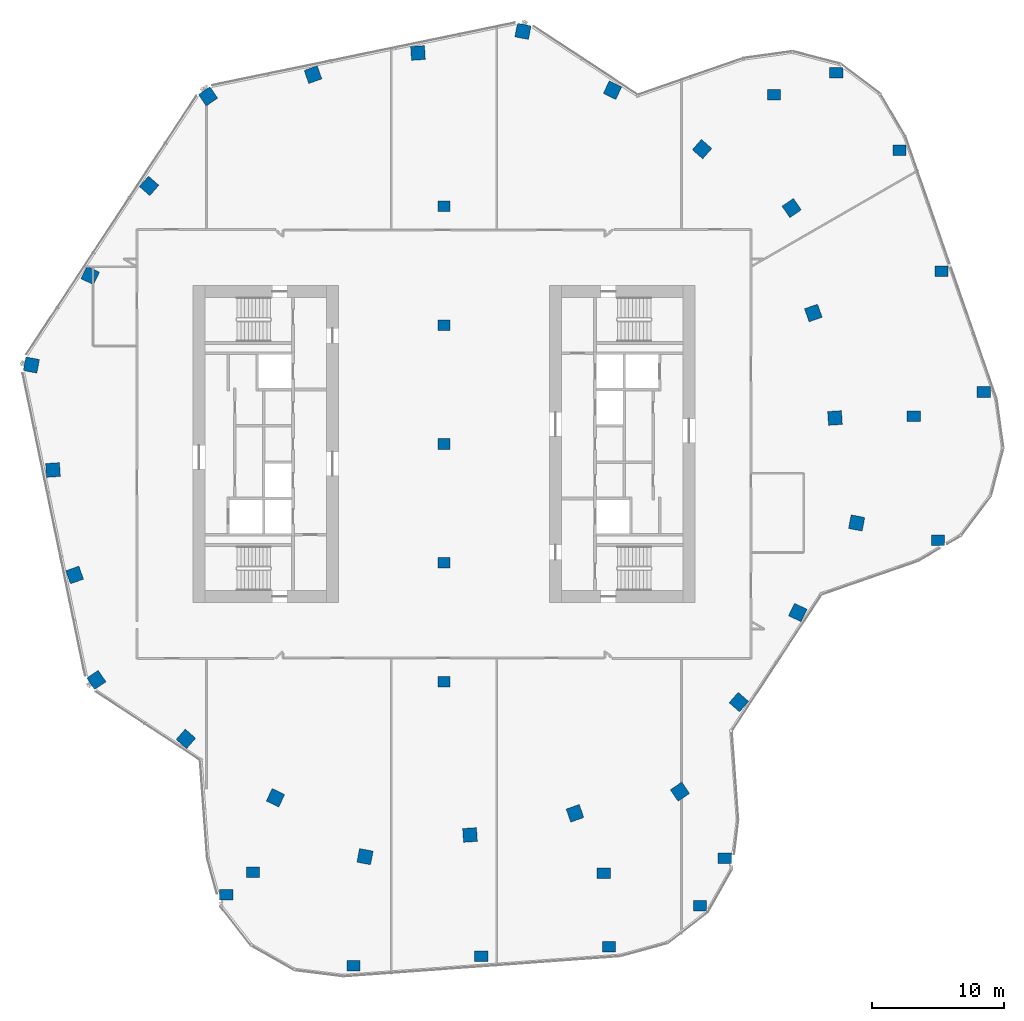
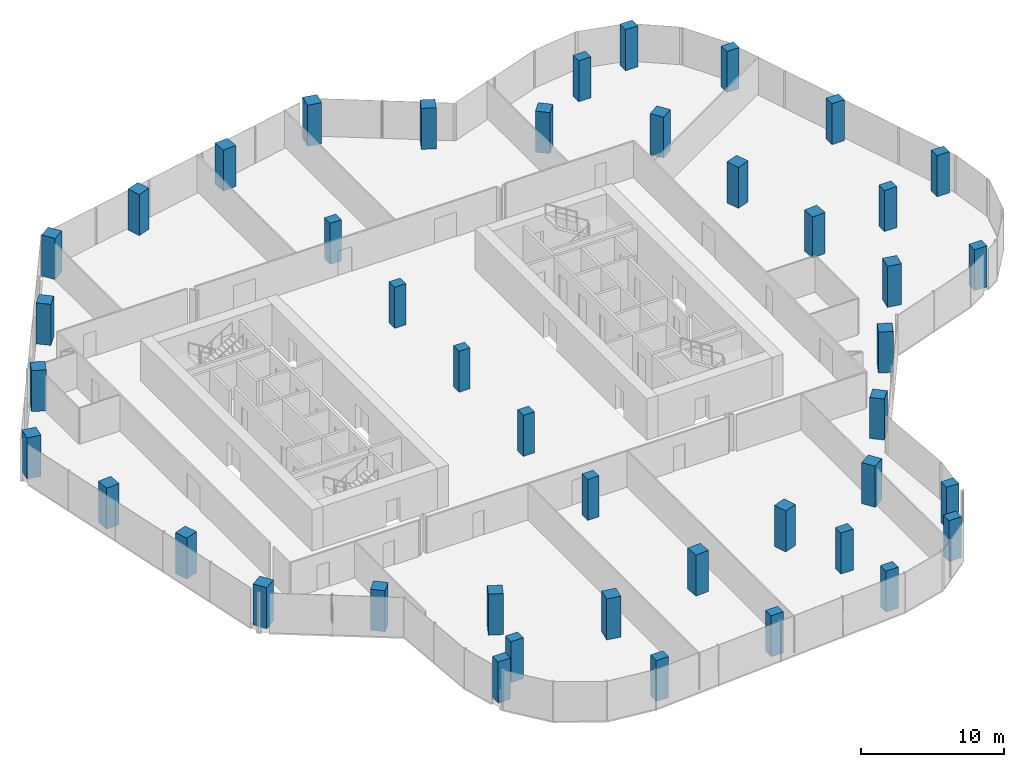
# One storey, part 1 of 24: 44 columns.
"""IFC4 building model written with IfcOpenShell, lengths in metres."""

from ifc_helpers import new_model, si_unit, direction, frame, origin, origin_2d, place, context, subcontext, project, spatial, rectangle, extrude, material, material_profile, profile_set, type_object, element, save


model = new_model("IFC4")

# Units and contexts
model_context = context("Model", 3, precision=1e-05, world=origin(), true_north=direction((0.0, 1.0)))
body_context = subcontext(model_context, "Body", "Model", "MODEL_VIEW")
ifc_project = project(units=[si_unit("LENGTHUNIT", "METRE"), si_unit("AREAUNIT", "SQUARE_METRE"), si_unit("VOLUMEUNIT", "CUBIC_METRE"), si_unit("PLANEANGLEUNIT", "RADIAN"), si_unit("MASSUNIT", "GRAM", prefix="KILO")], contexts=[model_context])

# Site, building, storey
site_placement = place(None, origin())
site = spatial("IfcSite", under=ifc_project, at=site_placement, CompositionType="ELEMENT")
building_placement = place(site_placement, origin())
building = spatial("IfcBuilding", under=site, at=building_placement, Name="Orlundy Tower", CompositionType="ELEMENT")
storey_placement = place(building_placement, frame((0.0, 0.0, 235.5)))
storey = spatial("IfcBuildingStorey", under=building, at=storey_placement, Name="L62", CompositionType="ELEMENT", Elevation=235.5)

# Columns
ifc_material_1 = material(Name="Concrete C60/75", Category="concrete")
ifc_material_profile_1 = material_profile(ifc_material_1, rectangle(XDim=1.0, YDim=0.800048828125, at=origin_2d()), Name="RC1000X800")
ifc_profile_set_1 = profile_set([ifc_material_profile_1], Name="Concrete C60/75")
column_type_1 = type_object("IfcColumnType", Name="RC COLUMN RC1000X800 C60/75", PredefinedType="COLUMN", material=ifc_profile_set_1)
for number, where, z_axis, x_axis, name in (
    (1, (37.423095703125, -7.302001953125, 0.0), (0.0, 0.0, 1.0), (1.0, 0.0, 0.0), "Column C-A1-1 L62"),
    (2, (40.873046875, 3.93798828125, 0.0), (0.0, 0.0, 1.0), (1.0, 0.0, 0.0), "Column C-A2-5 L62"),
    (3, (35.5830078125, 2.09912109375, 0.0), (0.0, 0.0, 1.0), (1.0, 0.0, 0.0), "Column C-A2-6 L62"),
    (4, (37.68798828125, 13.10009765625, 0.0), (0.0, 0.0, 1.0), (1.0, 0.0, 0.0), "Column C-A3-5 L62"),
    (5, (34.50390625, 22.261962890625, 0.0), (0.0, 0.0, 1.0), (1.0, 0.0, 0.0), "Column C-A4-5 L62"),
    (6, (29.7119140625, 28.10595703125, 0.0), (0.0, 0.0, 1.0), (1.0, 0.0, 0.0), "Column C-A5-5 L62"),
    (7, (24.989990234375, 26.465087890625, 0.0), (0.0, 0.0, 1.0), (1.0, 0.0, 0.0), "Column C-A5-6 L62"),
    (8, (-16.4970703125, -34.132080078125, 0.0), (0.0, 0.0, 1.0), (1.0, 0.0, 0.0), "Column C-B1-1 L62"),
    (9, (-14.47509765625, -32.430908203125, 0.0), (0.0, 0.0, 1.0), (1.0, 0.0, 0.0), "Column C-B1-6 L62"),
    (10, (-6.847900390625, -39.501953125, 0.0), (0.0, 0.0, 1.0), (1.0, 0.0, 0.0), "Column C-B2-5 L62"),
    (11, (2.825927734375, -38.797119140625, 0.0), (0.0, 0.0, 1.0), (1.0, 0.0, 0.0), "Column C-B3-5 L62"),
    (12, (12.5009765625, -38.092041015625, 0.0), (0.0, 0.0, 1.0), (1.0, 0.0, 0.0), "Column C-B4-5 L62"),
    (13, (12.093994140625, -32.507080078125, 0.0), (0.0, 0.0, 1.0), (1.0, 0.0, 0.0), "Column C-B4-6 L62"),
    (14, (21.27001953125, -31.3798828125, 0.0), (0.0, 0.0, 1.0), (1.0, 0.0, 0.0), "Column C-B5-1 L62"),
    (15, (19.385986328125, -34.97705078125, 0.0), (0.0, 0.0, 1.0), (1.0, 0.0, 0.0), "Column C-B5-5 L62"),
):
    element("IfcColumn", number, at=place(storey_placement, frame(where, z_axis=z_axis, x_axis=x_axis)), inside=storey, type_object=column_type_1, Name=name, PredefinedType="COLUMN", context=body_context, shape_type="SweptSolid", body=[
        extrude(rectangle(XDim=1.0, YDim=0.800048828125, at=origin_2d()), origin(), (0.0, 0.0, 1.0), 3.5),
    ])
ifc_material_2 = material(Name="Concrete C60/75", Category="concrete")
ifc_material_profile_2 = material_profile(ifc_material_2, rectangle(XDim=1.050048828125, YDim=1.050048828125, at=origin_2d()), Name="RC1050X1050")
ifc_profile_set_2 = profile_set([ifc_material_profile_2], Name="Concrete C60/75")
column_type_2 = type_object("IfcColumnType", Name="RC COLUMN RC1050X1050 C60/75", PredefinedType="COLUMN", material=ifc_profile_set_2)
for number, where, z_axis, x_axis, name in (
    (16, (5.98095703125, 31.2548828125, 0.0), (0.0, 0.0, 1.0), (0.187947040317, 0.982179163919, 0.0), "Column C-H01 L62"),
    (17, (12.763916015625, 26.7939453125, 0.0), (0.0, 0.0, 1.0), (0.430069959039, 0.902795563975, 0.0), "Column C-H02 L62"),
    (18, (19.547119140625, 22.3330078125, 0.0), (0.0, 0.0, 1.0), (0.658610663802, 0.752483882569, 0.0), "Column C-H03 L62"),
    (19, (26.330078125, 17.87109375, 0.0), (0.0, 0.0, 1.0), (0.827413975623, 0.561592479423, 0.0), "Column C-H04 L62"),
    (20, (27.971923828125, 9.9208984375, 0.0), (0.0, 0.0, 1.0), (0.942478249733, 0.334267480891, 0.0), "Column C-H05 L62"),
    (21, (29.613037109375, 1.969970703125, 0.0), (0.0, 0.0, 1.0), (0.997794522634, 0.066378389562, 0.0), "Column C-H06 L62"),
    (22, (31.2548828125, -5.98095703125, 0.0), (0.0, 0.0, 1.0), (0.982179163919, -0.187947040317, 0.0), "Column C-H07 L62"),
    (23, (26.7939453125, -12.763916015625, 0.0), (0.0, 0.0, 1.0), (0.902795563975, -0.430069959039, 0.0), "Column C-H08 L62"),
    (24, (22.3330078125, -19.547119140625, 0.0), (0.0, 0.0, 1.0), (0.752483882569, -0.658610663802, 0.0), "Column C-H09 L62"),
    (25, (17.87109375, -26.330078125, 0.0), (0.0, 0.0, 1.0), (0.561592479423, -0.827413975623, 0.0), "Column C-H10 L62"),
    (26, (9.9208984375, -27.971923828125, 0.0), (0.0, 0.0, 1.0), (0.334267480891, -0.942478249733, 0.0), "Column C-H11 L62"),
    (27, (1.969970703125, -29.613037109375, 0.0), (0.0, 0.0, 1.0), (0.066378389562, -0.997794522634, 0.0), "Column C-H12 L62"),
    (28, (-5.98095703125, -31.2548828125, 0.0), (0.0, 0.0, 1.0), (-0.187947040317, -0.982179163919, 0.0), "Column C-H13 L62"),
    (29, (-12.763916015625, -26.7939453125, 0.0), (0.0, 0.0, 1.0), (-0.430069959039, -0.902795563975, 0.0), "Column C-H14 L62"),
    (30, (-19.547119140625, -22.3330078125, 0.0), (0.0, 0.0, 1.0), (-0.658610663802, -0.752483882569, 0.0), "Column C-H15 L62"),
    (31, (-26.330078125, -17.87109375, 0.0), (0.0, 0.0, 1.0), (-0.827413975623, -0.561592479423, 0.0), "Column C-H16 L62"),
    (32, (-27.971923828125, -9.9208984375, 0.0), (0.0, 0.0, 1.0), (-0.942478249733, -0.334267480891, 0.0), "Column C-H17 L62"),
    (33, (-29.613037109375, -1.969970703125, 0.0), (0.0, 0.0, 1.0), (-0.997794522634, -0.066378389562, 0.0), "Column C-H18 L62"),
    (34, (-31.2548828125, 5.98095703125, 0.0), (0.0, 0.0, 1.0), (-0.982179163919, 0.187947040317, 0.0), "Column C-H19 L62"),
    (35, (-26.7939453125, 12.763916015625, 0.0), (0.0, 0.0, 1.0), (-0.902795563975, 0.430069959039, 0.0), "Column C-H20 L62"),
    (36, (-22.3330078125, 19.547119140625, 0.0), (0.0, 0.0, 1.0), (-0.752483882569, 0.658610663802, 0.0), "Column C-H21 L62"),
    (37, (-17.87109375, 26.330078125, 0.0), (0.0, 0.0, 1.0), (-0.561592479423, 0.827413975623, 0.0), "Column C-H22 L62"),
    (38, (-9.9208984375, 27.971923828125, 0.0), (0.0, 0.0, 1.0), (-0.334267480891, 0.942478249733, 0.0), "Column C-H23 L62"),
    (39, (-1.969970703125, 29.613037109375, 0.0), (0.0, 0.0, 1.0), (-0.066378389562, 0.997794522634, 0.0), "Column C-H24 L62"),
):
    element("IfcColumn", number, at=place(storey_placement, frame(where, z_axis=z_axis, x_axis=x_axis)), inside=storey, type_object=column_type_2, Name=name, PredefinedType="COLUMN", context=body_context, shape_type="SweptSolid", body=[
        extrude(rectangle(XDim=1.050048828125, YDim=1.050048828125, at=origin_2d()), origin(), (0.0, 0.0, 1.0), 3.5),
    ])
ifc_material_3 = material(Name="Concrete C60/75", Category="concrete")
ifc_material_profile_3 = material_profile(ifc_material_3, rectangle(XDim=0.89990234375, YDim=0.800048828125, at=origin_2d()), Name="RC900X800")
ifc_profile_set_3 = profile_set([ifc_material_profile_3], Name="Concrete C60/75")
column_type_3 = type_object("IfcColumnType", Name="RC COLUMN RC900X800 C60/75", PredefinedType="COLUMN", material=ifc_profile_set_3)
for number, where, z_axis, x_axis, name in (
    (40, (0.0, -18.0, 0.0), (0.0, 0.0, 1.0), (1.0, 0.0, 0.0), "Column C-M1 L62"),
    (41, (0.0, -9.0, 0.0), (0.0, 0.0, 1.0), (1.0, 0.0, 0.0), "Column C-M2 L62"),
    (42, (0.0, 0.0, 0.0), (0.0, 0.0, 1.0), (1.0, 0.0, 0.0), "Column C-M3 L62"),
    (43, (0.0, 9.0, 0.0), (0.0, 0.0, 1.0), (1.0, 0.0, 0.0), "Column C-M4 L62"),
    (44, (0.0, 18.0, 0.0), (0.0, 0.0, 1.0), (1.0, 0.0, 0.0), "Column C-M5 L62"),
):
    element("IfcColumn", number, at=place(storey_placement, frame(where, z_axis=z_axis, x_axis=x_axis)), inside=storey, type_object=column_type_3, Name=name, PredefinedType="COLUMN", context=body_context, shape_type="SweptSolid", body=[
        extrude(rectangle(XDim=0.89990234375, YDim=0.800048828125, at=origin_2d()), origin(), (0.0, 0.0, 1.0), 3.5),
    ])

save(model, "model.ifc")
